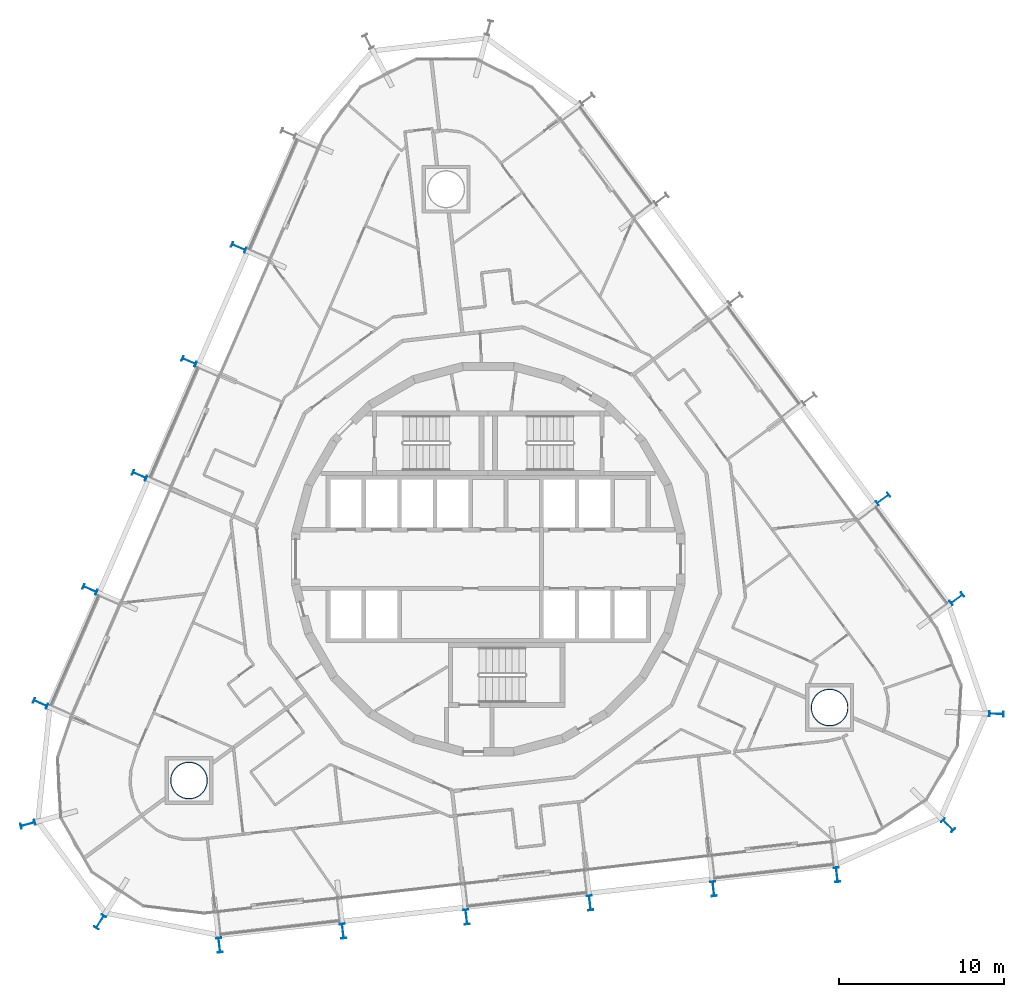
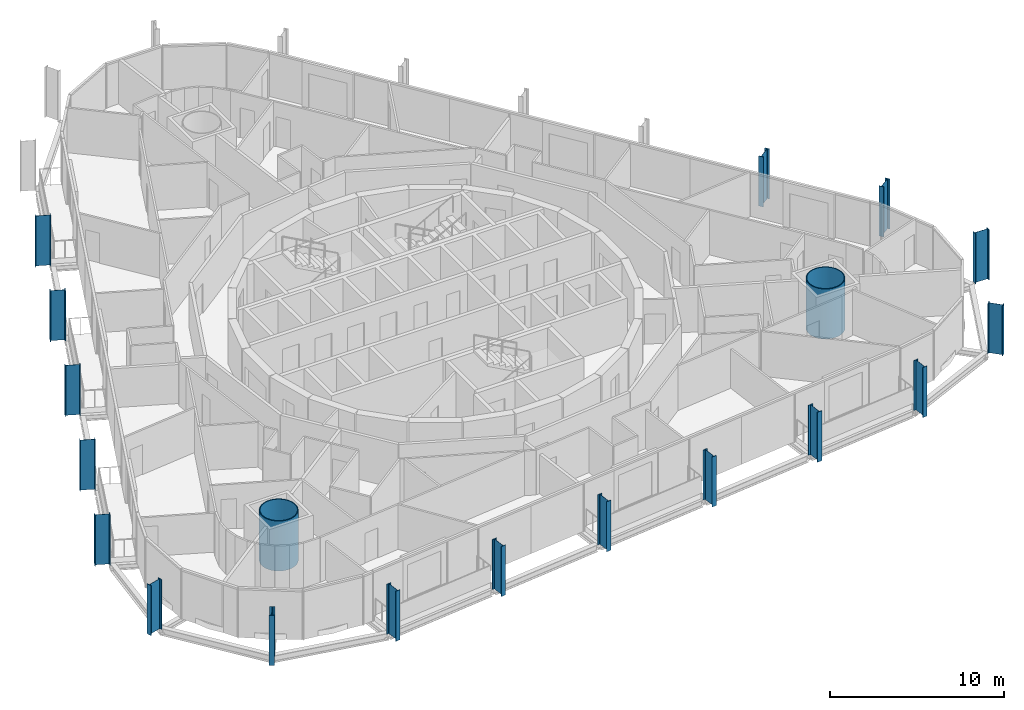
# One storey, part 1 of 24: 19 columns.
"""IFC4 building model written with IfcOpenShell, lengths in metres."""

from ifc_helpers import new_model, si_unit, direction, frame, origin, origin_2d, place, context, subcontext, project, spatial, hollow_circle, i_section, extrude, material, material_profile, profile_set, type_object, element, save


model = new_model("IFC4")

# Units and contexts
model_context = context("Model", 3, precision=1e-05, world=origin(), true_north=direction((0.0, 1.0)))
body_context = subcontext(model_context, "Body", "Model", "MODEL_VIEW")
ifc_project = project(units=[si_unit("LENGTHUNIT", "METRE"), si_unit("AREAUNIT", "SQUARE_METRE"), si_unit("VOLUMEUNIT", "CUBIC_METRE"), si_unit("PLANEANGLEUNIT", "RADIAN"), si_unit("MASSUNIT", "GRAM", prefix="KILO")], contexts=[model_context])

# Site, building, storey
site_placement = place(None, origin())
site = spatial("IfcSite", under=ifc_project, at=site_placement, CompositionType="ELEMENT")
building_placement = place(site_placement, origin())
building = spatial("IfcBuilding", under=site, at=building_placement, Name="Spindle Arch Residences", CompositionType="ELEMENT")
storey_placement = place(building_placement, frame((0.0, 0.0, 101.199951171875)))
storey = spatial("IfcBuildingStorey", under=building, at=storey_placement, Name="L24", CompositionType="ELEMENT", Elevation=101.199951171875)

# Columns
ifc_material_1 = material(Name="Steel S460ML, intumescent coating R 240", Category="steel")
ifc_material_profile_1 = material_profile(ifc_material_1, i_section(OverallWidth=0.300048828125, OverallDepth=0.89990234375, WebThickness=0.0185546875, FlangeThickness=0.034912109375, FilletRadius=0.030029296875, at=origin_2d()), Name="HEB 900")
ifc_profile_set_1 = profile_set([ifc_material_profile_1], Name="Steel S460ML, intumescent coating R 240")
column_type_1 = type_object("IfcColumnType", Name="Exoskeleton post HEB 900", PredefinedType="COLUMN", material=ifc_profile_set_1)
for number, where, z_axis, x_axis, name in (
    (1, (6.153076171875, -20.794677734375, -0.3798828125), (0.0, 0.0, 1.0), (-0.993571881569, -0.113202986513, 0.0), "Exoskeleton post 1"),
    (2, (13.62353515625, -19.943603515625, -0.3798828125), (0.0, 0.0, 1.0), (-0.993571881569, -0.113202986513, 0.0), "Exoskeleton post 2"),
    (3, (21.093994140625, -19.09228515625, -0.3798828125), (0.0, 0.0, 1.0), (-0.993571881569, -0.113202986513, 0.0), "Exoskeleton post 3"),
    (4, (27.81103515625, -16.097900390625, -0.3798828125), (0.0, 0.0, 1.0), (-0.704963041271, -0.709244041527, 0.0), "Exoskeleton post 4"),
    (5, (30.740478515625, -9.36083984375, -0.3798828125), (0.0, 0.0, 1.0), (-0.037923985838, -0.9992806269, 0.0), "Exoskeleton post 5"),
    (6, (28.349365234375, -2.40625, -0.3798828125), (0.0, 0.0, 1.0), (0.594822857897, -0.803856807972, 0.0), "Exoskeleton post 6"),
    (7, (23.876953125, 3.637939453125, -0.3798828125), (0.0, 0.0, 1.0), (0.594822857897, -0.803856807972, 0.0), "Exoskeleton post 7"),
    (8, (-15.0888671875, 18.859130859375, -0.3798828125), (0.0, 0.0, 1.0), (0.398749038162, 0.917060087761, 0.0), "Exoskeleton post 15"),
    (9, (-18.087158203125, 11.9638671875, -0.3798828125), (0.0, 0.0, 1.0), (0.398749038162, 0.917060087761, 0.0), "Exoskeleton post 16"),
    (10, (-21.085205078125, 5.068603515625, -0.3798828125), (0.0, 0.0, 1.0), (0.398749038162, 0.917060087761, 0.0), "Exoskeleton post 17"),
    (11, (-24.083251953125, -1.826416015625, -0.3798828125), (0.0, 0.0, 1.0), (0.398749038162, 0.917060087761, 0.0), "Exoskeleton post 18"),
    (12, (-27.081298828125, -8.7216796875, -0.3798828125), (0.0, 0.0, 1.0), (0.398749038162, 0.917060087761, 0.0), "Exoskeleton post 19"),
    (13, (-27.8466796875, -16.035888671875, -0.3798828125), (0.0, 0.0, 1.0), (-0.261741969429, 0.965137887268, 0.0), "Exoskeleton post 20"),
    (14, (-23.47705078125, -21.94140625, -0.3798828125), (0.0, 0.0, 1.0), (-0.846440049151, 0.532484030928, 0.0), "Exoskeleton post 21"),
    (15, (-16.258544921875, -23.34814453125, -0.3798828125), (0.0, 0.0, 1.0), (-0.993571881569, -0.113202986513, 0.0), "Exoskeleton post 22"),
    (16, (-8.7880859375, -22.4970703125, -0.3798828125), (0.0, 0.0, 1.0), (-0.993571881569, -0.113202986513, 0.0), "Exoskeleton post 23"),
    (17, (-1.3173828125, -21.645751953125, -0.3798828125), (0.0, 0.0, 1.0), (-0.993571881569, -0.113202986513, 0.0), "Exoskeleton post 24"),
):
    element("IfcColumn", number, at=place(storey_placement, frame(where, z_axis=z_axis, x_axis=x_axis)), inside=storey, type_object=column_type_1, Name=name, PredefinedType="COLUMN", context=body_context, shape_type="SweptSolid", body=[
        extrude(i_section(OverallWidth=0.300048828125, OverallDepth=0.89990234375, WebThickness=0.0185546875, FlangeThickness=0.034912109375, FilletRadius=0.030029296875, at=origin_2d()), origin(), (0.0, 0.0, 1.0), 3.5),
    ])
ifc_material_2 = material(Name="Concrete C50/60 filled steel tube S460ML, intumescent coating R 240", Category="concrete")
ifc_material_profile_2 = material_profile(ifc_material_2, hollow_circle(Radius=1.125, WallThickness=0.054931640625, at=origin_2d()), Name="CFT D2250x55")
ifc_profile_set_2 = profile_set([ifc_material_profile_2], Name="Concrete C50/60 filled steel tube S460ML, intumescent coating R 240")
column_type_2 = type_object("IfcColumnType", Name="Mega-column CFT D2250x55", PredefinedType="COLUMN", material=ifc_profile_set_2)
for number, where, z_axis, x_axis, name in (
    (18, (20.647705078125, -8.977783203125, -0.3798828125), (0.0, 0.0, 1.0), (1.0, 0.0, 0.0), "Mega-column 1"),
    (19, (-18.098876953125, -13.392578125, -0.3798828125), (0.0, 0.0, 1.0), (1.0, 0.0, 0.0), "Mega-column 3"),
):
    element("IfcColumn", number, at=place(storey_placement, frame(where, z_axis=z_axis, x_axis=x_axis)), inside=storey, type_object=column_type_2, Name=name, PredefinedType="COLUMN", context=body_context, shape_type="SweptSolid", body=[
        extrude(hollow_circle(Radius=1.125, WallThickness=0.054931640625, at=origin_2d()), origin(), (0.0, 0.0, 1.0), 3.5),
    ])

save(model, "model.ifc")
